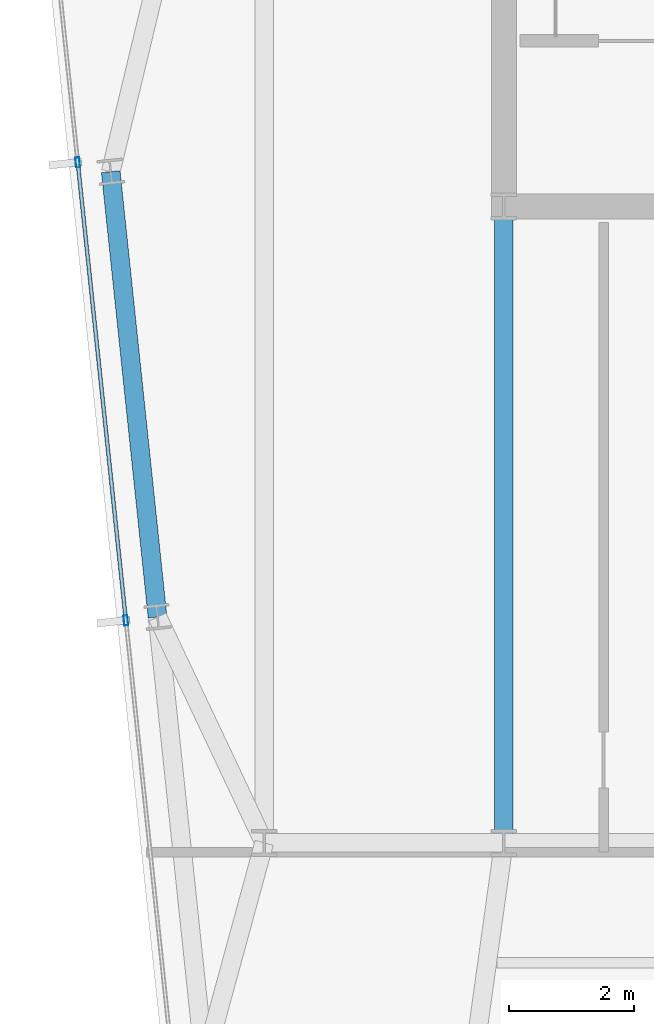
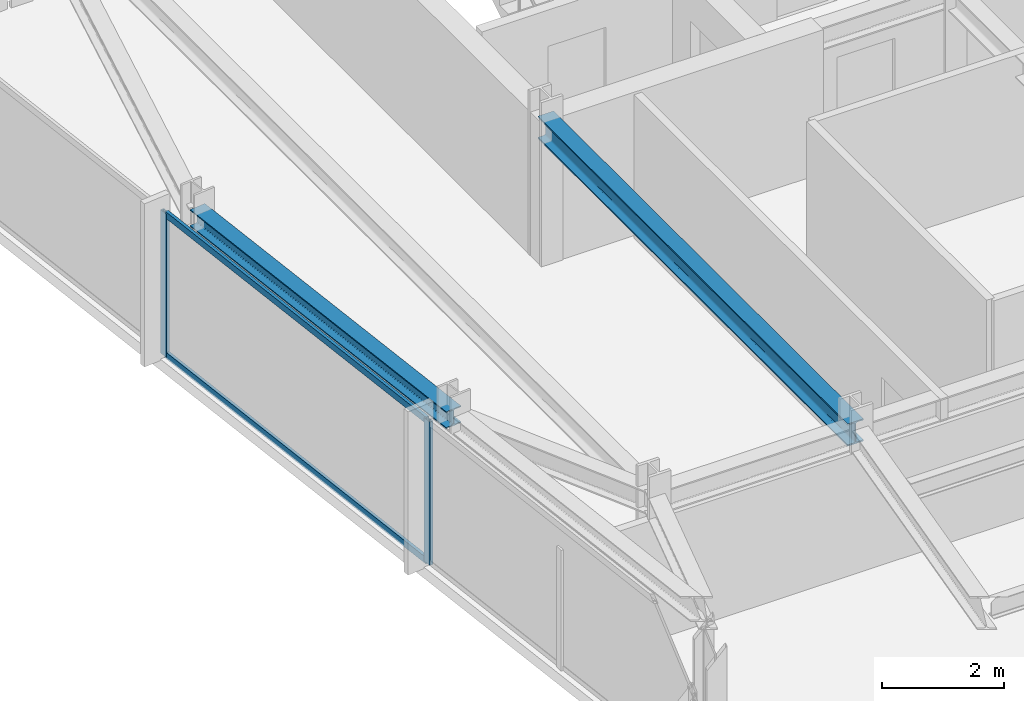
# One storey, part 10 of 33: 4 members, 2 beams, 1 element without a shape of its own.
"""IFC4 building model written with IfcOpenShell, lengths in metres."""

from ifc_helpers import new_model, si_unit, direction, frame, origin, origin_2d, place, context, subcontext, project, spatial, hollow_rectangle, i_section, extrude, material, material_profile, profile_set, type_object, element, aggregate, save


model = new_model("IFC4")

# Units and contexts
model_context = context("Model", 3, precision=1e-05, world=origin(), true_north=direction((0.0, 1.0)))
body_context = subcontext(model_context, "Body", "Model", "MODEL_VIEW")
ifc_project = project(units=[si_unit("LENGTHUNIT", "METRE"), si_unit("AREAUNIT", "SQUARE_METRE"), si_unit("VOLUMEUNIT", "CUBIC_METRE"), si_unit("PLANEANGLEUNIT", "RADIAN"), si_unit("MASSUNIT", "GRAM", prefix="KILO")], contexts=[model_context])

# Site, building, storey
site_placement = place(None, origin())
site = spatial("IfcSite", under=ifc_project, at=site_placement, CompositionType="ELEMENT")
building_placement = place(site_placement, origin())
building = spatial("IfcBuilding", under=site, at=building_placement, Name="Yelkora Congress Tower", CompositionType="ELEMENT")
storey_placement = place(building_placement, frame((0.0, 0.0, 244.10009765625)))
storey = spatial("IfcBuildingStorey", under=building, at=storey_placement, Name="L68", CompositionType="ELEMENT", Elevation=244.10009765625)

# Beams
ifc_material_1 = material(Name="Steel S355J2", Category="steel")
ifc_material_profile_1 = material_profile(ifc_material_1, i_section(OverallWidth=0.300048828125, OverallDepth=0.449951171875, WebThickness=0.013916015625, FlangeThickness=0.02587890625, FilletRadius=0.027099609375, at=origin_2d()), Name="HEB 450")
ifc_profile_set_1 = profile_set([ifc_material_profile_1], Name="Steel S355J2")
beam_type_1 = type_object("IfcBeamType", Name="BM-GIRD-HEB450", PredefinedType="BEAM", material=ifc_profile_set_1)
beam_1_placement = place(storey_placement, frame((23.0400390625, 25.199951171875, 2.65478515625), z_axis=(0.0, 1.0, 0.0), x_axis=(-1.0, 0.0, 0.0)))
element("IfcBeam", 1, at=beam_1_placement, inside=storey, type_object=beam_type_1, Name="L68 Core Tie Girder MC-D1", PredefinedType="BEAM", context=body_context, shape_type="SweptSolid", body=[
    extrude(i_section(OverallWidth=0.300048828125, OverallDepth=0.449951171875, WebThickness=0.013916015625, FlangeThickness=0.02587890625, FilletRadius=0.027099609375, at=origin_2d()), origin(), (0.0, 0.0, 1.0), 10.199951171875),
])
ifc_material_profile_2 = material_profile(ifc_material_1, i_section(OverallWidth=0.300048828125, OverallDepth=0.340087890625, WebThickness=0.011962890625, FlangeThickness=0.021484375, FilletRadius=0.027099609375, at=origin_2d()), Name="HEB 340")
ifc_profile_set_2 = profile_set([ifc_material_profile_2], Name="Steel S355J2")
beam_type_2 = type_object("IfcBeamType", Name="BM-SPAN-HEB340", PredefinedType="SPANDREL", material=ifc_profile_set_2)
beam_2_placement = place(storey_placement, frame((16.7412109375, 35.95458984375, 2.7099609375), z_axis=(0.104528914631, -0.994521847928, 0.0), x_axis=(0.994521847928, 0.104528914631, 0.0)))
element("IfcBeam", 2, at=beam_2_placement, inside=storey, type_object=beam_type_2, Name="L68 Perimeter Beam 17", PredefinedType="SPANDREL", context=body_context, shape_type="SweptSolid", body=[
    extrude(i_section(OverallWidth=0.300048828125, OverallDepth=0.340087890625, WebThickness=0.011962890625, FlangeThickness=0.021484375, FilletRadius=0.027099609375, at=origin_2d()), origin(), (0.0, 0.0, 1.0), 7.175048828125),
])

# Curtain wall, members
ifc_material_2 = material(Name="Anodised aluminium and insulated glass", Category="aluminium")
curtain_wall_type = type_object("IfcCurtainWallType", Name="CW-SYS-B4", PredefinedType="NOTDEFINED", material=ifc_material_2)
curtain_wall_placement = place(storey_placement, origin())
curtain_wall = element("IfcCurtainWall", 3, at=curtain_wall_placement, inside=storey, type_object=curtain_wall_type, Name="L68 Unitised Curtain Wall 5", PredefinedType="NOTDEFINED")
ifc_material_3 = material(Name="Anodised aluminium 6063-T6", Category="aluminium")
ifc_material_profile_3 = material_profile(ifc_material_3, hollow_rectangle(XDim=0.06494140625, YDim=0.159912109375, WallThickness=0.00390625, at=origin_2d()), Name="ALU 65x160x4")
ifc_profile_set_3 = profile_set([ifc_material_profile_3], Name="Anodised aluminium 6063-T6")
member_type_1 = type_object("IfcMemberType", Name="MEM-ML-B4", PredefinedType="MULLION", material=ifc_profile_set_3)
member_1_placement = place(storey_placement, frame((16.98388671875, 28.765625, 0.0), z_axis=(0.0, 0.0, 1.0), x_axis=(-0.994522145958, -0.104526079034, 0.0)))
member_1 = element("IfcMember", 4, at=member_1_placement, type_object=member_type_1, Name="CW-B4 mullion 3", PredefinedType="MULLION", context=body_context, shape_type="SweptSolid", body=[
    extrude(hollow_rectangle(XDim=0.06494140625, YDim=0.159912109375, WallThickness=0.00390625, at=origin_2d()), origin(), (0.0, 0.0, 1.0), 2.8798828125),
])
member_2_placement = place(storey_placement, frame((16.21240234375, 36.105224609375, 0.0), z_axis=(0.0, 0.0, 1.0), x_axis=(-0.994522145958, -0.104526079034, 0.0)))
member_2 = element("IfcMember", 5, at=member_2_placement, type_object=member_type_1, Name="CW-B4 mullion 4", PredefinedType="MULLION", context=body_context, shape_type="SweptSolid", body=[
    extrude(hollow_rectangle(XDim=0.06494140625, YDim=0.159912109375, WallThickness=0.00390625, at=origin_2d()), origin(), (0.0, 0.0, 1.0), 2.8798828125),
])
ifc_material_profile_4 = material_profile(ifc_material_3, hollow_rectangle(XDim=0.06005859375, YDim=0.1298828125, WallThickness=0.00390625, at=origin_2d()), Name="ALU 60x130x4")
ifc_profile_set_4 = profile_set([ifc_material_profile_4], Name="Anodised aluminium 6063-T6")
member_type_2 = type_object("IfcMemberType", Name="MEM-TR-B4", PredefinedType="USERDEFINED", material=ifc_profile_set_4)
member_3_placement = place(storey_placement, frame((16.98046875, 28.7978515625, 0.02978515625), z_axis=(-0.104531896307, 0.994521534535, 0.0), x_axis=(-0.994521534535, -0.104531896307, 0.0)))
member_3 = element("IfcMember", 6, at=member_3_placement, type_object=member_type_2, Name="CW-B4 transom 3.1", ObjectType="TRANSOM", PredefinedType="USERDEFINED", context=body_context, shape_type="SweptSolid", body=[
    extrude(hollow_rectangle(XDim=0.06005859375, YDim=0.1298828125, WallThickness=0.00390625, at=origin_2d()), origin(), (0.0, 0.0, 1.0), 7.31494140625),
])
member_4_placement = place(storey_placement, frame((16.98046875, 28.7978515625, 2.849853515625), z_axis=(-0.104531896307, 0.994521534535, 0.0), x_axis=(-0.994521534535, -0.104531896307, 0.0)))
member_4 = element("IfcMember", 7, at=member_4_placement, type_object=member_type_2, Name="CW-B4 transom 3.2", ObjectType="TRANSOM", PredefinedType="USERDEFINED", context=body_context, shape_type="SweptSolid", body=[
    extrude(hollow_rectangle(XDim=0.06005859375, YDim=0.1298828125, WallThickness=0.00390625, at=origin_2d()), origin(), (0.0, 0.0, 1.0), 7.31494140625),
])
aggregate(curtain_wall, [member_1, member_2, member_3, member_4])

save(model, "model.ifc")
